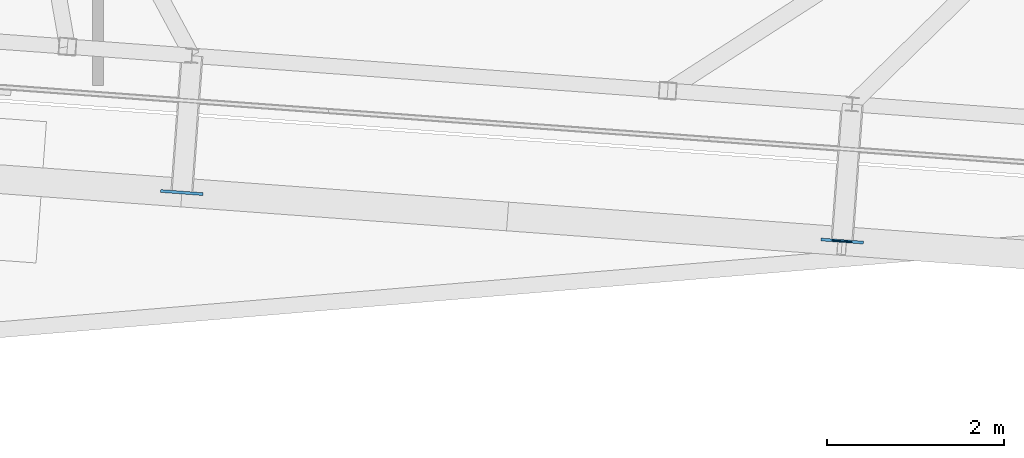
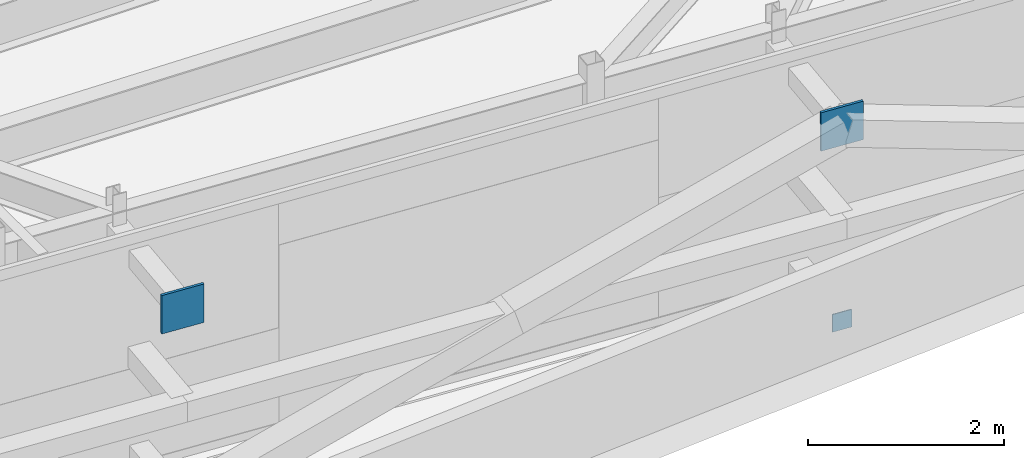
# One storey, part 26 of 37: 3 plates.
"""IFC4 building model written with IfcOpenShell, lengths in metres."""

from ifc_helpers import new_model, si_unit, direction, frame, origin, origin_2d, place, context, subcontext, project, spatial, rectangle, extrude, source, transform, mapped, material, layer, layer_set, type_object, element, save


model = new_model("IFC4")

# Units and contexts
model_context = context("Model", 3, precision=1e-05, world=origin(), true_north=direction((0.0, 1.0)))
body_context = subcontext(model_context, "Body", "Model", "MODEL_VIEW")
ifc_project = project(units=[si_unit("LENGTHUNIT", "METRE"), si_unit("AREAUNIT", "SQUARE_METRE"), si_unit("VOLUMEUNIT", "CUBIC_METRE"), si_unit("PLANEANGLEUNIT", "RADIAN"), si_unit("MASSUNIT", "GRAM", prefix="KILO")], contexts=[model_context])

# Site, building, storey
site_placement = place(None, origin())
site = spatial("IfcSite", under=ifc_project, at=site_placement, CompositionType="ELEMENT")
building_placement = place(site_placement, origin())
building = spatial("IfcBuilding", under=site, at=building_placement, Name="Taldren Reach Tower", CompositionType="ELEMENT")
storey_placement = place(building_placement, frame((0.0, 0.0, 211.39990234375)))
storey = spatial("IfcBuildingStorey", under=building, at=storey_placement, Name="L64", CompositionType="ELEMENT", Elevation=211.39990234375)

# Plates
ifc_material = material(Name="Steel Gr 450 (C450L0)", Category="steel")
ifc_layer_1 = layer(ifc_material, 0.031982421875)
ifc_layer_set_1 = layer_set([ifc_layer_1], Name="Steel Gr 450 (C450L0)")
plate_type_1 = type_object("IfcPlateType", Name="PL-GUSSET-32", PredefinedType="SHEET", material=ifc_layer_set_1)
shared_shape_1 = source(origin(), body_context, "Body", "SweptSolid", [
    extrude(rectangle(XDim=0.47998046875, YDim=0.031982421875, at=origin_2d()), origin(), (0.0, 0.0, 1.0), 0.47998046875),
])
for number, where, z_axis, x_axis, name in (
    (1, (29.947021484375, 3.81884765625, 2.41015625), (0.0, 0.0, 1.0), (0.997314477224, -0.073238197128, 0.0), "Exoskeleton star-node gusset plate B5-S3 L64"),
    (2, (37.406982421875, 3.27099609375, 2.41015625), (0.0, 0.0, 1.0), (0.997314477224, -0.073238197128, 0.0), "Exoskeleton star-node gusset plate B5-S4 L64"),
):
    element("IfcPlate", number, at=place(storey_placement, frame(where, z_axis=z_axis, x_axis=x_axis)), inside=storey, type_object=plate_type_1, Name=name, PredefinedType="SHEET", context=body_context, shape_type="MappedRepresentation", body=[
        mapped(shared_shape_1, transform((0.0, 0.0, 0.0), scale=1.0)),
    ])
ifc_layer_2 = layer(ifc_material, 0.011962890625)
ifc_layer_set_2 = layer_set([ifc_layer_2], Name="Steel Gr 450 (C450L0)")
plate_type_2 = type_object("IfcPlateType", Name="PL-CAP-220", PredefinedType="SHEET", material=ifc_layer_set_2)
shared_shape_2 = source(origin(), body_context, "Body", "SweptSolid", [
    extrude(rectangle(XDim=0.219970703125, YDim=0.011962890625, at=origin_2d()), origin(), (0.0, 0.0, 1.0), 0.219970703125),
])
plate_placement = place(storey_placement, frame((37.406494140625, 3.264892578125, 0.1103515625), z_axis=(0.0, 0.0, 1.0), x_axis=(0.997314477224, -0.073238197128, 0.0)))
element("IfcPlate", 3, at=plate_placement, inside=storey, type_object=plate_type_2, Name="Tie strut end cap plate B5-S4 L64", PredefinedType="SHEET", context=body_context, shape_type="MappedRepresentation", body=[
    mapped(shared_shape_2, transform((0.0, 0.0, 0.0), scale=1.0)),
])

save(model, "model.ifc")
